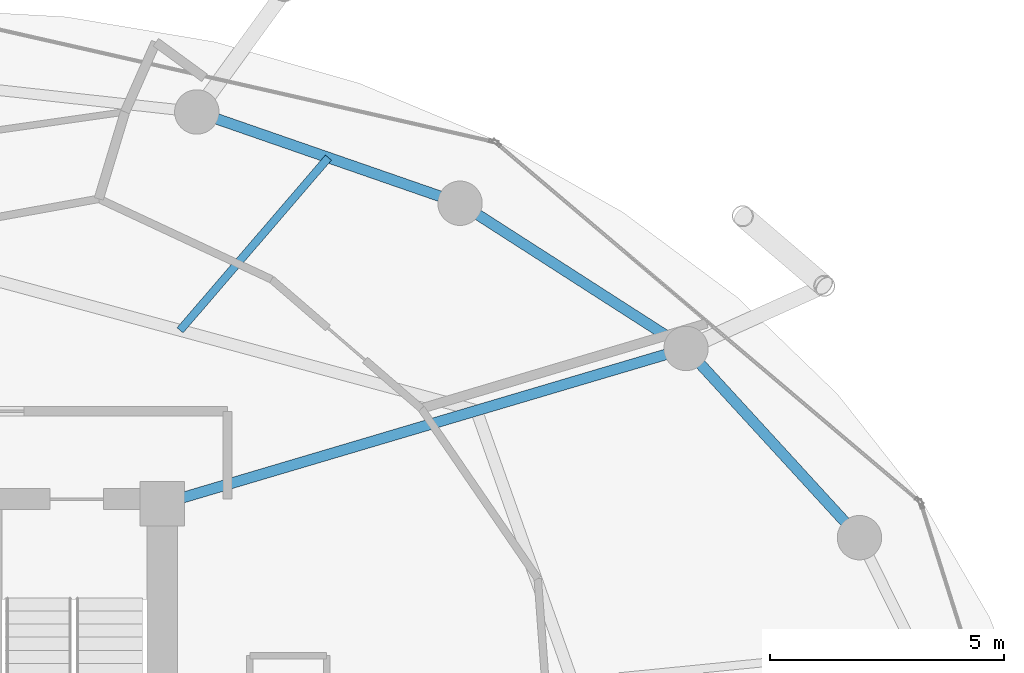
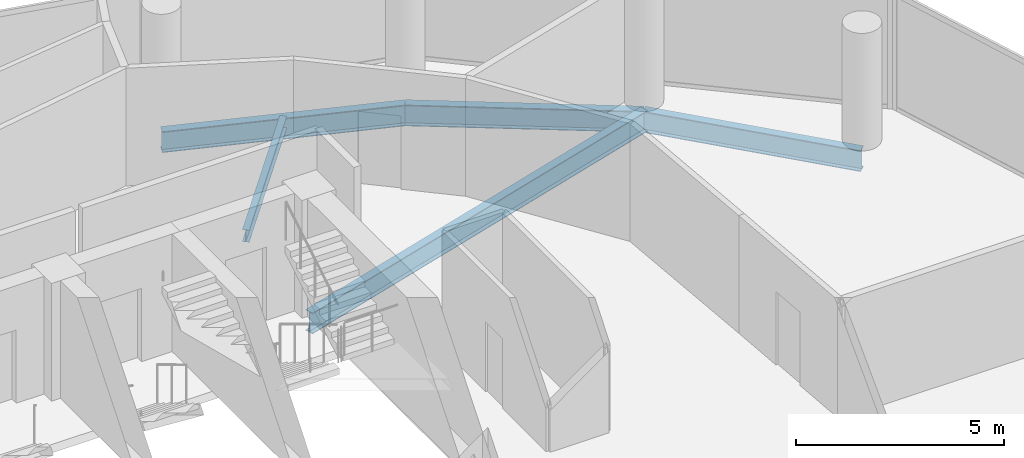
# One storey, part 18 of 27: 5 beams.
"""IFC4 building model written with IfcOpenShell, lengths in metres."""

from ifc_helpers import new_model, si_unit, direction, frame, origin, origin_2d, place, context, subcontext, project, spatial, i_section, extrude, material, material_profile, profile_set, type_object, element, save


model = new_model("IFC4")

# Units and contexts
model_context = context("Model", 3, precision=1e-05, world=origin(), true_north=direction((0.0, 1.0)))
body_context = subcontext(model_context, "Body", "Model", "MODEL_VIEW")
ifc_project = project(units=[si_unit("LENGTHUNIT", "METRE"), si_unit("AREAUNIT", "SQUARE_METRE"), si_unit("VOLUMEUNIT", "CUBIC_METRE"), si_unit("PLANEANGLEUNIT", "RADIAN"), si_unit("MASSUNIT", "GRAM", prefix="KILO")], contexts=[model_context])

# Site, building, storey
site_placement = place(None, origin())
site = spatial("IfcSite", under=ifc_project, at=site_placement, CompositionType="ELEMENT")
building_placement = place(site_placement, origin())
building = spatial("IfcBuilding", under=site, at=building_placement, Name="Nuhasar Tower", CompositionType="ELEMENT")
storey_placement = place(building_placement, frame((0.0, 0.0, 158.949951171875)))
storey = spatial("IfcBuildingStorey", under=building, at=storey_placement, Name="L38", CompositionType="ELEMENT", Elevation=158.949951171875)

# Beams
ifc_material = material(Name="Steel S355", Category="steel")
ifc_material_profile_1 = material_profile(ifc_material, i_section(OverallWidth=0.1708984375, OverallDepth=0.35205078125, WebThickness=0.0068359375, FlangeThickness=0.009765625, at=origin_2d()), Name="W14X30")
ifc_profile_set_1 = profile_set([ifc_material_profile_1], Name="Steel S355")
beam_type_1 = type_object("IfcBeamType", Name="BM-JST-W14X30", PredefinedType="JOIST", material=ifc_profile_set_1)
beam_1_placement = place(storey_placement, frame((44.68408203125, 41.011962890625, -0.426025390625), z_axis=(0.651690621509, 0.758484893612, 0.0), x_axis=(-0.758484893612, 0.651690621509, 0.0)))
element("IfcBeam", 1, at=beam_1_placement, inside=storey, type_object=beam_type_1, Name="L38 Secondary Floor Joist 05", PredefinedType="JOIST", context=body_context, shape_type="SweptSolid", body=[
    extrude(i_section(OverallWidth=0.1708984375, OverallDepth=0.35205078125, WebThickness=0.0068359375, FlangeThickness=0.009765625, at=origin_2d()), origin(), (0.0, 0.0, 1.0), 4.87158203125),
])
ifc_material_profile_2 = material_profile(ifc_material, i_section(OverallWidth=0.22900390625, OverallDepth=0.612060546875, WebThickness=0.011962890625, FlangeThickness=0.01953125, at=origin_2d()), Name="W24X84")
ifc_profile_set_2 = profile_set([ifc_material_profile_2], Name="Steel S355")
beam_type_2 = type_object("IfcBeamType", Name="BM-RAD-W24X84", PredefinedType="BEAM", material=ifc_profile_set_2)
beam_2_placement = place(storey_placement, frame((44.300048828125, 37.300048828125, -0.555908203125), z_axis=(0.958746492721, 0.284262489076, 0.0), x_axis=(-0.284262489076, 0.958746492721, 0.0)))
element("IfcBeam", 2, at=beam_2_placement, inside=storey, type_object=beam_type_2, Name="L38 Radial Floor Girder 05", PredefinedType="BEAM", context=body_context, shape_type="SweptSolid", body=[
    extrude(i_section(OverallWidth=0.22900390625, OverallDepth=0.612060546875, WebThickness=0.011962890625, FlangeThickness=0.01953125, at=origin_2d()), origin(), (0.0, 0.0, 1.0), 11.693359375),
])
ifc_material_profile_3 = material_profile(ifc_material, i_section(OverallWidth=0.22998046875, OverallDepth=0.616943359375, WebThickness=0.01318359375, FlangeThickness=0.022216796875, at=origin_2d()), Name="W24X94")
ifc_profile_set_3 = profile_set([ifc_material_profile_3], Name="Steel S355")
beam_type_3 = type_object("IfcBeamType", Name="BM-RING-W24X94", PredefinedType="SPANDREL", material=ifc_profile_set_3)
beam_3_placement = place(storey_placement, frame((59.221923828125, 36.574951171875, -0.558837890625), z_axis=(-0.675654174897, 0.737218716491, 0.0), x_axis=(-0.737218716491, -0.675654174897, 0.0)))
element("IfcBeam", 3, at=beam_3_placement, inside=storey, type_object=beam_type_3, Name="L38 Perimeter Ring Spandrel 03", PredefinedType="SPANDREL", context=body_context, shape_type="SweptSolid", body=[
    extrude(i_section(OverallWidth=0.22998046875, OverallDepth=0.616943359375, WebThickness=0.01318359375, FlangeThickness=0.022216796875, at=origin_2d()), origin(), (0.0, 0.0, 1.0), 5.492431640625),
])
beam_4_placement = place(storey_placement, frame((55.510986328125, 40.6240234375, -0.558837890625), z_axis=(-0.841327486207, 0.540525726448, 0.0), x_axis=(-0.540525726448, -0.841327486207, 0.0)))
element("IfcBeam", 4, at=beam_4_placement, inside=storey, type_object=beam_type_3, Name="L38 Perimeter Ring Spandrel 04", PredefinedType="SPANDREL", context=body_context, shape_type="SweptSolid", body=[
    extrude(i_section(OverallWidth=0.22998046875, OverallDepth=0.616943359375, WebThickness=0.01318359375, FlangeThickness=0.022216796875, at=origin_2d()), origin(), (0.0, 0.0, 1.0), 5.748046875),
])
beam_5_placement = place(storey_placement, frame((50.675048828125, 43.73095703125, -0.558837890625), z_axis=(-0.944801380051, 0.327643636066, 0.0), x_axis=(-0.327643636066, -0.944801380051, 0.0)))
element("IfcBeam", 5, at=beam_5_placement, inside=storey, type_object=beam_type_3, Name="L38 Perimeter Ring Spandrel 05", PredefinedType="SPANDREL", context=body_context, shape_type="SweptSolid", body=[
    extrude(i_section(OverallWidth=0.22998046875, OverallDepth=0.616943359375, WebThickness=0.01318359375, FlangeThickness=0.022216796875, at=origin_2d()), origin(), (0.0, 0.0, 1.0), 5.961181640625),
])

save(model, "model.ifc")
